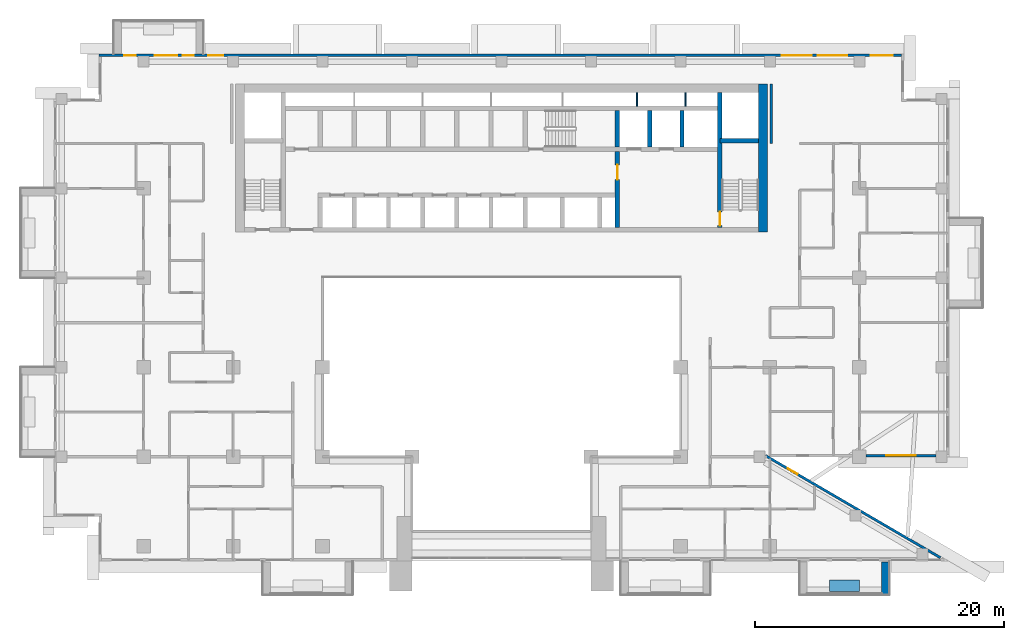
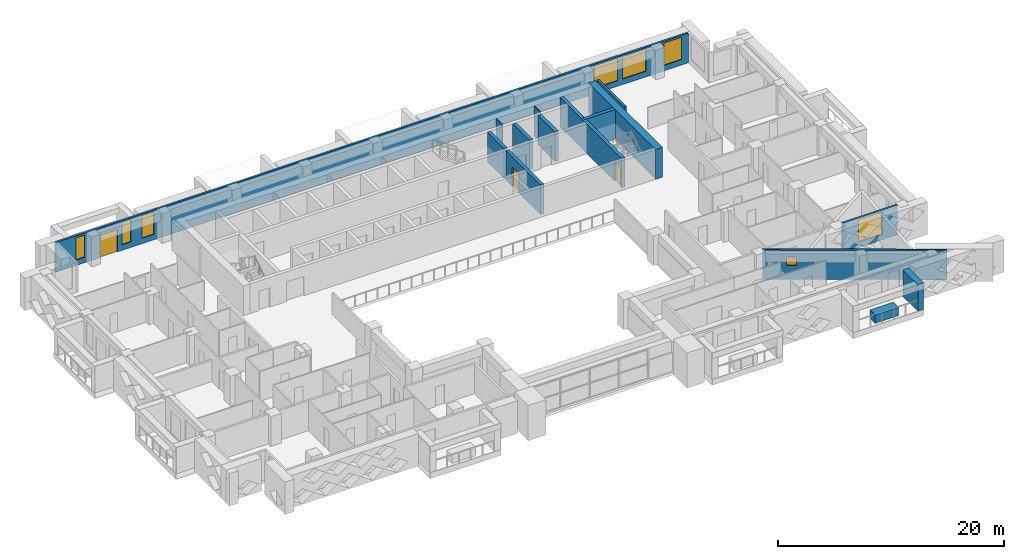
# One storey, part 11 of 20: 15 walls, 8 windows, 3 doors, 11 openings.
"""IFC4 building model written with IfcOpenShell, lengths in metres."""

from ifc_helpers import new_model, si_unit, direction, frame, frame_2d, origin, place, context, subcontext, project, spatial, rectangle, extrude, material, layer, layer_set, type_object, element, fill, save


model = new_model("IFC4")

# Units and contexts
model_context = context("Model", 3, precision=1e-05, world=origin(), true_north=direction((0.0, 1.0)))
body_context = subcontext(model_context, "Body", "Model", "MODEL_VIEW")
ifc_project = project(units=[si_unit("LENGTHUNIT", "METRE"), si_unit("AREAUNIT", "SQUARE_METRE"), si_unit("VOLUMEUNIT", "CUBIC_METRE"), si_unit("PLANEANGLEUNIT", "RADIAN"), si_unit("MASSUNIT", "GRAM", prefix="KILO")], contexts=[model_context])

# Site, building, storey
site_placement = place(None, origin())
site = spatial("IfcSite", under=ifc_project, at=site_placement, CompositionType="ELEMENT")
building_placement = place(site_placement, origin())
building = spatial("IfcBuilding", under=site, at=building_placement, Name="Saffron Iwan Residences", CompositionType="ELEMENT")
storey_placement = place(building_placement, frame((0.0, 0.0, 130.5)))
storey = spatial("IfcBuildingStorey", under=building, at=storey_placement, Name="L34", CompositionType="ELEMENT", Elevation=130.5)

# Walls
ifc_material_1 = material(Name="Concrete C50/60 white painted", Category="concrete")
ifc_layer_1 = layer(ifc_material_1, 0.60009765625)
ifc_layer_set_1 = layer_set([ifc_layer_1], Name="Concrete C50/60 white painted")
wall_type_1 = type_object("IfcWallType", Name="BALCONY FIN 600", PredefinedType="SOLIDWALL", material=ifc_layer_set_1)
wall_1_placement = place(storey_placement, frame((81.300048828125, 39.550048828125, 0.0), z_axis=(0.0, 0.0, 1.0), x_axis=(0.0, -1.0, 0.0)))
element("IfcWall", 1, at=wall_1_placement, inside=storey, type_object=wall_type_1, Name="Balcony fin L34 11-2b", PredefinedType="SOLIDWALL", context=body_context, shape_type="SweptSolid", body=[
    extrude(rectangle(XDim=2.650146484375, YDim=0.60009765625, at=frame_2d((1.3251953125, 0.0))), origin(), (0.0, 0.0, 1.0), 2.85009765625),
])
ifc_material_2 = material(Name="Concrete C35/45 white painted", Category="concrete")
ifc_layer_2 = layer(ifc_material_2, 0.14990234375)
ifc_layer_set_2 = layer_set([ifc_layer_2], Name="Concrete C35/45 white painted")
wall_type_2 = type_object("IfcWallType", Name="BALCONY PLANTER", PredefinedType="SOLIDWALL", material=ifc_layer_set_2)
wall_2_placement = place(storey_placement, frame((76.800048828125, 37.625, 0.0), z_axis=(0.0, 0.0, 1.0), x_axis=(1.0, 0.0, 0.0)))
element("IfcWall", 2, at=wall_2_placement, inside=storey, type_object=wall_type_2, Name="PLANTER L34 11-2", PredefinedType="SOLIDWALL", context=body_context, shape_type="SweptSolid", body=[
    extrude(rectangle(XDim=2.39990234375, YDim=0.89990234375, at=frame_2d((1.199951171875, 0.0))), origin(), (0.0, 0.0, 1.0), 0.89990234375),
])

# Wall, opening, window
ifc_material_3 = material(Name="Concrete C40/50", Category="concrete")
ifc_layer_3 = layer(ifc_material_3, 0.199951171875)
ifc_layer_set_3 = layer_set([ifc_layer_3], Name="Concrete C40/50")
wall_type_3 = type_object("IfcWallType", Name="EXTERNAL WALL 200", PredefinedType="SOLIDWALL", material=ifc_layer_set_3)
wall_3_placement = place(storey_placement, frame((85.71923828125, 39.88134765625, 0.0), z_axis=(0.0, 0.0, 1.0), x_axis=(-0.86377618652, 0.503875678716, 0.0)))
wall_3 = element("IfcWall", 3, at=wall_3_placement, inside=storey, type_object=wall_type_3, Name="External wall L34 F0.0", PredefinedType="SOLIDWALL", context=body_context, shape_type="SweptSolid", body=[
    extrude(rectangle(XDim=16.31103515625, YDim=0.199951171875, at=frame_2d((8.155517578125, 0.0))), origin(), (0.0, 0.0, 1.0), 3.199951171875),
])
opening_1_placement = place(wall_3_placement, frame((13.32568359375, 0.0, 1.5)))
opening_1 = element("IfcOpeningElement", 4, at=opening_1_placement, cuts=wall_3, Name="Opening W6", PredefinedType="OPENING", context=body_context, shape_type="SweptSolid", body=[
    extrude(rectangle(XDim=0.89990234375, YDim=0.89990234375, at=frame_2d((0.449951171875, 0.449951171875))), frame((0.0, 0.10986328125, 0.0), z_axis=(0.0, -1.0, 0.0), x_axis=(1.0, 0.0, 0.0)), (0.0, 0.0, 1.0), 0.219970703125),
])
ifc_material_4 = material(Name="Clear glass, laminated double glazed", Category="glass")
window_type_1 = type_object("IfcWindowType", Name="WINDOW 900 x 900 BATH", PartitioningType="SINGLE_PANEL", PredefinedType="WINDOW", material=ifc_material_4)
window_1_placement = place(opening_1_placement, origin())
window_1 = element("IfcWindow", 5, at=window_1_placement, inside=storey, type_object=window_type_1, Name="Window L34 F0.0", OverallHeight=0.89990234375, OverallWidth=0.89990234375, PartitioningType="SINGLE_PANEL", PredefinedType="WINDOW", context=body_context, shape_type="SweptSolid", body=[
    extrude(rectangle(XDim=0.89990234375, YDim=0.89990234375, at=frame_2d((0.449951171875, 0.449951171875))), frame((0.0, 0.030029296875, 0.0), z_axis=(0.0, -1.0, 0.0), x_axis=(1.0, 0.0, 0.0)), (0.0, 0.0, 1.0), 0.06005859375),
])
fill(opening_1, window_1)

wall_4_placement = place(storey_placement, frame((79.75, 48.10009765625, 0.0), z_axis=(0.0, 0.0, 1.0), x_axis=(1.0, 0.0, 0.0)))
wall_4 = element("IfcWall", 6, at=wall_4_placement, inside=storey, type_object=wall_type_3, Name="External wall L34 F1.1", PredefinedType="SOLIDWALL", context=body_context, shape_type="SweptSolid", body=[
    extrude(rectangle(XDim=5.60009765625, YDim=0.199951171875, at=frame_2d((2.800048828125, 0.0))), origin(), (0.0, 0.0, 1.0), 3.199951171875),
])
opening_2_placement = place(wall_4_placement, frame((1.60009765625, 0.0, 0.60009765625)))
opening_2 = element("IfcOpeningElement", 7, at=opening_2_placement, cuts=wall_4, Name="Opening W1", PredefinedType="OPENING", context=body_context, shape_type="SweptSolid", body=[
    extrude(rectangle(XDim=2.39990234375, YDim=2.39990234375, at=frame_2d((1.199951171875, 1.199951171875))), frame((0.0, 0.10986328125, 0.0), z_axis=(0.0, -1.0, 0.0), x_axis=(1.0, 0.0, 0.0)), (0.0, 0.0, 1.0), 0.219970703125),
])
window_type_2 = type_object("IfcWindowType", Name="WINDOW 2400 x 2400", PartitioningType="DOUBLE_PANEL_VERTICAL", PredefinedType="WINDOW", material=ifc_material_4)
window_2_placement = place(opening_2_placement, origin())
window_2 = element("IfcWindow", 8, at=window_2_placement, inside=storey, type_object=window_type_2, Name="Window L34 F1.0", OverallHeight=2.39990234375, OverallWidth=2.39990234375, PartitioningType="DOUBLE_PANEL_VERTICAL", PredefinedType="WINDOW", context=body_context, shape_type="SweptSolid", body=[
    extrude(rectangle(XDim=2.39990234375, YDim=2.39990234375, at=frame_2d((1.199951171875, 1.199951171875))), frame((0.0, 0.030029296875, 0.0), z_axis=(0.0, -1.0, 0.0), x_axis=(1.0, 0.0, 0.0)), (0.0, 0.0, 1.0), 0.06005859375),
])
fill(opening_2, window_2)

# Wall, openings, door, windows
wall_5_placement = place(storey_placement, frame((82.60009765625, 80.300048828125, 0.0), z_axis=(0.0, 0.0, 1.0), x_axis=(-1.0, 0.0, 0.0)))
wall_5 = element("IfcWall", 9, at=wall_5_placement, inside=storey, type_object=wall_type_3, Name="External wall L34 F5.0", PredefinedType="SOLIDWALL", context=body_context, shape_type="SweptSolid", body=[
    extrude(rectangle(XDim=64.60009765625, YDim=0.199951171875, at=frame_2d((32.300048828125, 0.0))), origin(), (0.0, 0.0, 1.0), 3.199951171875),
])
opening_3_placement = place(wall_5_placement, frame((58.300048828125, 0.0, 0.0)))
opening_3 = element("IfcOpeningElement", 10, at=opening_3_placement, cuts=wall_5, Name="Opening BD1", PredefinedType="OPENING", context=body_context, shape_type="SweptSolid", body=[
    extrude(rectangle(XDim=1.800048828125, YDim=2.39990234375, at=frame_2d((0.89990234375, 1.199951171875))), frame((0.0, 0.10986328125, 0.0), z_axis=(0.0, -1.0, 0.0), x_axis=(1.0, 0.0, 0.0)), (0.0, 0.0, 1.0), 0.219970703125),
])
opening_4_placement = place(wall_5_placement, frame((54.60009765625, 0.0, 0.60009765625)))
opening_4 = element("IfcOpeningElement", 11, at=opening_4_placement, cuts=wall_5, Name="Opening W3", PredefinedType="OPENING", context=body_context, shape_type="SweptSolid", body=[
    extrude(rectangle(XDim=1.199951171875, YDim=2.39990234375, at=frame_2d((0.60009765625, 1.199951171875))), frame((0.0, 0.10986328125, 0.0), z_axis=(0.0, -1.0, 0.0), x_axis=(1.0, 0.0, 0.0)), (0.0, 0.0, 1.0), 0.219970703125),
])
opening_5_placement = place(wall_5_placement, frame((56.949951171875, 0.0, 0.60009765625)))
opening_5 = element("IfcOpeningElement", 12, at=opening_5_placement, cuts=wall_5, Name="Opening W10", PredefinedType="OPENING", context=body_context, shape_type="SweptSolid", body=[
    extrude(rectangle(XDim=0.89990234375, YDim=2.39990234375, at=frame_2d((0.449951171875, 1.199951171875))), frame((0.0, 0.10986328125, 0.0), z_axis=(0.0, -1.0, 0.0), x_axis=(1.0, 0.0, 0.0)), (0.0, 0.0, 1.0), 0.219970703125),
])
opening_6_placement = place(wall_5_placement, frame((61.64990234375, 0.0, 0.60009765625)))
opening_6 = element("IfcOpeningElement", 13, at=opening_6_placement, cuts=wall_5, Name="Opening W10", PredefinedType="OPENING", context=body_context, shape_type="SweptSolid", body=[
    extrude(rectangle(XDim=0.89990234375, YDim=2.39990234375, at=frame_2d((0.449951171875, 1.199951171875))), frame((0.0, 0.10986328125, 0.0), z_axis=(0.0, -1.0, 0.0), x_axis=(1.0, 0.0, 0.0)), (0.0, 0.0, 1.0), 0.219970703125),
])
opening_7_placement = place(wall_5_placement, frame((0.699951171875, 0.0, 0.60009765625)))
opening_7 = element("IfcOpeningElement", 14, at=opening_7_placement, cuts=wall_5, Name="Opening W8", PredefinedType="OPENING", context=body_context, shape_type="SweptSolid", body=[
    extrude(rectangle(XDim=1.800048828125, YDim=2.39990234375, at=frame_2d((0.89990234375, 1.199951171875))), frame((0.0, 0.10986328125, 0.0), z_axis=(0.0, -1.0, 0.0), x_axis=(1.0, 0.0, 0.0)), (0.0, 0.0, 1.0), 0.219970703125),
])
opening_8_placement = place(wall_5_placement, frame((4.36669921875, 0.0, 0.60009765625)))
opening_8 = element("IfcOpeningElement", 15, at=opening_8_placement, cuts=wall_5, Name="Opening W1", PredefinedType="OPENING", context=body_context, shape_type="SweptSolid", body=[
    extrude(rectangle(XDim=2.39990234375, YDim=2.39990234375, at=frame_2d((1.199951171875, 1.199951171875))), frame((0.0, 0.10986328125, 0.0), z_axis=(0.0, -1.0, 0.0), x_axis=(1.0, 0.0, 0.0)), (0.0, 0.0, 1.0), 0.219970703125),
])
opening_9_placement = place(wall_5_placement, frame((7.2333984375, 0.0, 0.60009765625)))
opening_9 = element("IfcOpeningElement", 16, at=opening_9_placement, cuts=wall_5, Name="Opening W1", PredefinedType="OPENING", context=body_context, shape_type="SweptSolid", body=[
    extrude(rectangle(XDim=2.39990234375, YDim=2.39990234375, at=frame_2d((1.199951171875, 1.199951171875))), frame((0.0, 0.10986328125, 0.0), z_axis=(0.0, -1.0, 0.0), x_axis=(1.0, 0.0, 0.0)), (0.0, 0.0, 1.0), 0.219970703125),
])
door_type_1 = type_object("IfcDoorType", Name="BALCONY DOOR 1800 x 2400", OperationType="DOUBLE_DOOR_SLIDING", PredefinedType="DOOR", material=ifc_material_4)
door_1_placement = place(opening_3_placement, origin())
door_1 = element("IfcDoor", 17, at=door_1_placement, inside=storey, type_object=door_type_1, Name="Balcony door L34 F5.0", OperationType="DOUBLE_DOOR_SLIDING", OverallHeight=2.39990234375, OverallWidth=1.800048828125, PredefinedType="DOOR", context=body_context, shape_type="SweptSolid", body=[
    extrude(rectangle(XDim=1.800048828125, YDim=2.39990234375, at=frame_2d((0.89990234375, 1.199951171875))), frame((0.0, 0.02490234375, 0.0), z_axis=(0.0, -1.0, 0.0), x_axis=(1.0, 0.0, 0.0)), (0.0, 0.0, 1.0), 0.050048828125),
])
fill(opening_3, door_1)
window_type_3 = type_object("IfcWindowType", Name="WINDOW 1200 x 2400", PartitioningType="SINGLE_PANEL", PredefinedType="WINDOW", material=ifc_material_4)
window_3_placement = place(opening_4_placement, origin())
window_3 = element("IfcWindow", 18, at=window_3_placement, inside=storey, type_object=window_type_3, Name="Window L34 F5.1", OverallHeight=2.39990234375, OverallWidth=1.199951171875, PartitioningType="SINGLE_PANEL", PredefinedType="WINDOW", context=body_context, shape_type="SweptSolid", body=[
    extrude(rectangle(XDim=1.199951171875, YDim=2.39990234375, at=frame_2d((0.60009765625, 1.199951171875))), frame((0.0, 0.030029296875, 0.0), z_axis=(0.0, -1.0, 0.0), x_axis=(1.0, 0.0, 0.0)), (0.0, 0.0, 1.0), 0.06005859375),
])
fill(opening_4, window_3)
window_type_4 = type_object("IfcWindowType", Name="WINDOW 1800 x 2400", PartitioningType="DOUBLE_PANEL_VERTICAL", PredefinedType="WINDOW", material=ifc_material_4)
window_4_placement = place(opening_7_placement, origin())
window_4 = element("IfcWindow", 19, at=window_4_placement, inside=storey, type_object=window_type_4, Name="Window L34 F5.4", OverallHeight=2.39990234375, OverallWidth=1.800048828125, PartitioningType="DOUBLE_PANEL_VERTICAL", PredefinedType="WINDOW", context=body_context, shape_type="SweptSolid", body=[
    extrude(rectangle(XDim=1.800048828125, YDim=2.39990234375, at=frame_2d((0.89990234375, 1.199951171875))), frame((0.0, 0.030029296875, 0.0), z_axis=(0.0, -1.0, 0.0), x_axis=(1.0, 0.0, 0.0)), (0.0, 0.0, 1.0), 0.06005859375),
])
fill(opening_7, window_4)
window_5_placement = place(opening_8_placement, origin())
window_5 = element("IfcWindow", 20, at=window_5_placement, inside=storey, type_object=window_type_2, Name="Window L34 F5.5", OverallHeight=2.39990234375, OverallWidth=2.39990234375, PartitioningType="DOUBLE_PANEL_VERTICAL", PredefinedType="WINDOW", context=body_context, shape_type="SweptSolid", body=[
    extrude(rectangle(XDim=2.39990234375, YDim=2.39990234375, at=frame_2d((1.199951171875, 1.199951171875))), frame((0.0, 0.030029296875, 0.0), z_axis=(0.0, -1.0, 0.0), x_axis=(1.0, 0.0, 0.0)), (0.0, 0.0, 1.0), 0.06005859375),
])
fill(opening_8, window_5)
window_6_placement = place(opening_9_placement, origin())
window_6 = element("IfcWindow", 21, at=window_6_placement, inside=storey, type_object=window_type_2, Name="Window L34 F5.6", OverallHeight=2.39990234375, OverallWidth=2.39990234375, PartitioningType="DOUBLE_PANEL_VERTICAL", PredefinedType="WINDOW", context=body_context, shape_type="SweptSolid", body=[
    extrude(rectangle(XDim=2.39990234375, YDim=2.39990234375, at=frame_2d((1.199951171875, 1.199951171875))), frame((0.0, 0.030029296875, 0.0), z_axis=(0.0, -1.0, 0.0), x_axis=(1.0, 0.0, 0.0)), (0.0, 0.0, 1.0), 0.06005859375),
])
fill(opening_9, window_6)
window_type_5 = type_object("IfcWindowType", Name="WINDOW 900 x 2400", PartitioningType="SINGLE_PANEL", PredefinedType="WINDOW", material=ifc_material_4)
window_7_placement = place(opening_5_placement, origin())
window_7 = element("IfcWindow", 22, at=window_7_placement, inside=storey, type_object=window_type_5, Name="Window L34 F5.2", OverallHeight=2.39990234375, OverallWidth=0.89990234375, PartitioningType="SINGLE_PANEL", PredefinedType="WINDOW", context=body_context, shape_type="SweptSolid", body=[
    extrude(rectangle(XDim=0.89990234375, YDim=2.39990234375, at=frame_2d((0.449951171875, 1.199951171875))), frame((0.0, 0.030029296875, 0.0), z_axis=(0.0, -1.0, 0.0), x_axis=(1.0, 0.0, 0.0)), (0.0, 0.0, 1.0), 0.06005859375),
])
fill(opening_5, window_7)
window_8_placement = place(opening_6_placement, origin())
window_8 = element("IfcWindow", 23, at=window_8_placement, inside=storey, type_object=window_type_5, Name="Window L34 F5.3", OverallHeight=2.39990234375, OverallWidth=0.89990234375, PartitioningType="SINGLE_PANEL", PredefinedType="WINDOW", context=body_context, shape_type="SweptSolid", body=[
    extrude(rectangle(XDim=0.89990234375, YDim=2.39990234375, at=frame_2d((0.449951171875, 1.199951171875))), frame((0.0, 0.030029296875, 0.0), z_axis=(0.0, -1.0, 0.0), x_axis=(1.0, 0.0, 0.0)), (0.0, 0.0, 1.0), 0.06005859375),
])
fill(opening_6, window_8)

# Walls
ifc_material_5 = material(Name="Fire-rated gypsum board wall")
ifc_layer_4 = layer(ifc_material_5, 0.199951171875)
ifc_layer_set_4 = layer_set([ifc_layer_4], Name="Fire-rated gypsum board wall")
wall_type_4 = type_object("IfcWallType", Name="Gallery wall 200", PredefinedType="SOLIDWALL", material=ifc_layer_set_4)
wall_6_placement = place(storey_placement, frame((72.10009765625, 73.199951171875, 0.0), z_axis=(0.0, 0.0, 1.0), x_axis=(0.0, 1.0, 0.0)))
element("IfcWall", 24, at=wall_6_placement, inside=storey, type_object=wall_type_4, Name="W-L34-CORR-v72-73.2", PredefinedType="SOLIDWALL", context=body_context, shape_type="SweptSolid", body=[
    extrude(rectangle(XDim=4.800048828125, YDim=0.199951171875, at=frame_2d((2.39990234375, 0.0))), origin(), (0.0, 0.0, 1.0), 3.199951171875),
])
ifc_material_6 = material(Name="Fire-rated plasterboard partition")
ifc_layer_5 = layer(ifc_material_6, 0.10009765625)
ifc_layer_set_5 = layer_set([ifc_layer_5], Name="Fire-rated plasterboard partition")
wall_type_5 = type_object("IfcWallType", Name="Riser partition 100", PredefinedType="PARTITIONING", material=ifc_layer_set_5)
for number, where, z_axis, x_axis, name in (
    (25, (61.300048828125, 76.22509765625, 0.0), (0.0, 0.0, 1.0), (0.0, 1.0, 0.0), "Core partition P05"),
    (26, (65.199951171875, 76.22509765625, 0.0), (0.0, 0.0, 1.0), (0.0, 1.0, 0.0), "Core partition P06"),
):
    element("IfcWall", number, at=place(storey_placement, frame(where, z_axis=z_axis, x_axis=x_axis)), inside=storey, type_object=wall_type_5, Name=name, PredefinedType="PARTITIONING", context=body_context, shape_type="SweptSolid", body=[
        extrude(rectangle(XDim=1.074951171875, YDim=0.10009765625, at=frame_2d((0.53759765625, 0.0))), origin(), (0.0, 0.0, 1.0), 3.199951171875),
    ])
ifc_material_7 = material(Name="Concrete C50/60", Category="concrete")
ifc_layer_6 = layer(ifc_material_7, 0.35009765625)
ifc_layer_set_6 = layer_set([ifc_layer_6], Name="Concrete C50/60")
wall_type_6 = type_object("IfcWallType", Name="WALL CORE 350 C50/60 3200 HIGH", PredefinedType="SHEAR", material=ifc_layer_set_6)
wall_7_placement = place(storey_placement, frame((67.97509765625, 73.425048828125, 0.0), z_axis=(0.0, 0.0, 1.0), x_axis=(1.0, 0.0, 0.0)))
element("IfcWall", 27, at=wall_7_placement, inside=storey, type_object=wall_type_6, Name="Core wall", PredefinedType="SHEAR", context=body_context, shape_type="SweptSolid", body=[
    extrude(rectangle(XDim=3.125, YDim=0.35009765625, at=frame_2d((1.5625, 0.0))), origin(), (0.0, 0.0, 1.0), 3.199951171875),
])

# Wall, opening, door
wall_8_placement = place(storey_placement, frame((67.97509765625, 66.449951171875, 0.0), z_axis=(0.0, 0.0, 1.0), x_axis=(0.0, 1.0, 0.0)))
wall_8 = element("IfcWall", 28, at=wall_8_placement, inside=storey, type_object=wall_type_6, Name="Core wall", PredefinedType="SHEAR", context=body_context, shape_type="SweptSolid", body=[
    extrude(rectangle(XDim=10.85009765625, YDim=0.35009765625, at=frame_2d((5.425048828125, 0.0))), origin(), (0.0, 0.0, 1.0), 3.199951171875),
])
opening_10_placement = place(wall_8_placement, frame((0.14990234375, 0.0, 0.0)))
opening_10 = element("IfcOpeningElement", 29, at=opening_10_placement, cuts=wall_8, Name="Opening SD", PredefinedType="OPENING", context=body_context, shape_type="SweptSolid", body=[
    extrude(rectangle(XDim=1.10009765625, YDim=2.10009765625, at=frame_2d((0.550048828125, 1.050048828125))), frame((0.0, 0.18505859375, 0.0), z_axis=(0.0, -1.0, 0.0), x_axis=(1.0, 0.0, 0.0)), (0.0, 0.0, 1.0), 0.3701171875),
])
ifc_material_8 = material(Name="Steel fire door", Category="steel")
door_type_2 = type_object("IfcDoorType", Name="Stair door 1100", OperationType="NOTDEFINED", PredefinedType="DOOR", material=ifc_material_8)
door_2_placement = place(opening_10_placement, origin())
door_2 = element("IfcDoor", 30, at=door_2_placement, inside=storey, type_object=door_type_2, Name="Stair door ST-E", OperationType="SINGLE_SWING_LEFT", OverallHeight=2.10009765625, OverallWidth=1.10009765625, PredefinedType="DOOR", context=body_context, shape_type="SweptSolid", body=[
    extrude(rectangle(XDim=1.10009765625, YDim=2.10009765625, at=frame_2d((0.550048828125, 1.050048828125))), frame((0.0, 0.02490234375, 0.0), z_axis=(0.0, -1.0, 0.0), x_axis=(1.0, 0.0, 0.0)), (0.0, 0.0, 1.0), 0.050048828125),
])
fill(opening_10, door_2)

wall_9_placement = place(storey_placement, frame((59.72509765625, 66.449951171875, 0.0), z_axis=(0.0, 0.0, 1.0), x_axis=(0.0, 1.0, 0.0)))
wall_9 = element("IfcWall", 31, at=wall_9_placement, inside=storey, type_object=wall_type_6, Name="Core wall", PredefinedType="SHEAR", context=body_context, shape_type="SweptSolid", body=[
    extrude(rectangle(XDim=6.125, YDim=0.35009765625, at=frame_2d((3.0625, 0.0))), origin(), (0.0, 0.0, 1.0), 3.199951171875),
])
opening_11_placement = place(wall_9_placement, frame((3.85009765625, 0.0, 0.0)))
opening_11 = element("IfcOpeningElement", 32, at=opening_11_placement, cuts=wall_9, Name="Opening FD", PredefinedType="OPENING", context=body_context, shape_type="SweptSolid", body=[
    extrude(rectangle(XDim=1.199951171875, YDim=2.10009765625, at=frame_2d((0.60009765625, 1.050048828125))), frame((0.0, 0.18505859375, 0.0), z_axis=(0.0, -1.0, 0.0), x_axis=(1.0, 0.0, 0.0)), (0.0, 0.0, 1.0), 0.3701171875),
])
door_type_3 = type_object("IfcDoorType", Name="Firefighting lobby door 1200", OperationType="NOTDEFINED", PredefinedType="DOOR", material=ifc_material_8)
door_3_placement = place(opening_11_placement, origin())
door_3 = element("IfcDoor", 33, at=door_3_placement, inside=storey, type_object=door_type_3, Name="Firefighting lobby door", OperationType="SINGLE_SWING_LEFT", OverallHeight=2.10009765625, OverallWidth=1.199951171875, PredefinedType="DOOR", context=body_context, shape_type="SweptSolid", body=[
    extrude(rectangle(XDim=1.199951171875, YDim=2.10009765625, at=frame_2d((0.60009765625, 1.050048828125))), frame((0.0, 0.02490234375, 0.0), z_axis=(0.0, -1.0, 0.0), x_axis=(1.0, 0.0, 0.0)), (0.0, 0.0, 1.0), 0.050048828125),
])
fill(opening_11, door_3)

# Walls
for number, where, z_axis, x_axis, name in (
    (34, (59.72509765625, 72.925048828125, 0.0), (0.0, 0.0, 1.0), (0.0, 1.0, 0.0), "Core wall"),
    (35, (62.324951171875, 72.925048828125, 0.0), (0.0, 0.0, 1.0), (0.0, 1.0, 0.0), "Core wall"),
    (36, (64.925048828125, 72.925048828125, 0.0), (0.0, 0.0, 1.0), (0.0, 1.0, 0.0), "Core wall"),
):
    element("IfcWall", number, at=place(storey_placement, frame(where, z_axis=z_axis, x_axis=x_axis)), inside=storey, type_object=wall_type_6, Name=name, PredefinedType="SHEAR", context=body_context, shape_type="SweptSolid", body=[
        extrude(rectangle(XDim=2.949951171875, YDim=0.35009765625, at=frame_2d((1.47509765625, 0.0))), origin(), (0.0, 0.0, 1.0), 3.199951171875),
    ])
ifc_layer_7 = layer(ifc_material_7, 0.699951171875)
ifc_layer_set_7 = layer_set([ifc_layer_7], Name="Concrete C50/60")
wall_type_7 = type_object("IfcWallType", Name="WALL CORE 700 C50/60 3200 HIGH", PredefinedType="SHEAR", material=ifc_layer_set_7)
wall_10_placement = place(storey_placement, frame((71.449951171875, 66.10009765625, 0.0), z_axis=(0.0, 0.0, 1.0), x_axis=(0.0, 1.0, 0.0)))
element("IfcWall", 37, at=wall_10_placement, inside=storey, type_object=wall_type_7, Name="Core wall", PredefinedType="SHEAR", context=body_context, shape_type="SweptSolid", body=[
    extrude(rectangle(XDim=11.89990234375, YDim=0.699951171875, at=frame_2d((5.949951171875, 0.0))), origin(), (0.0, 0.0, 1.0), 3.199951171875),
])

save(model, "model.ifc")
